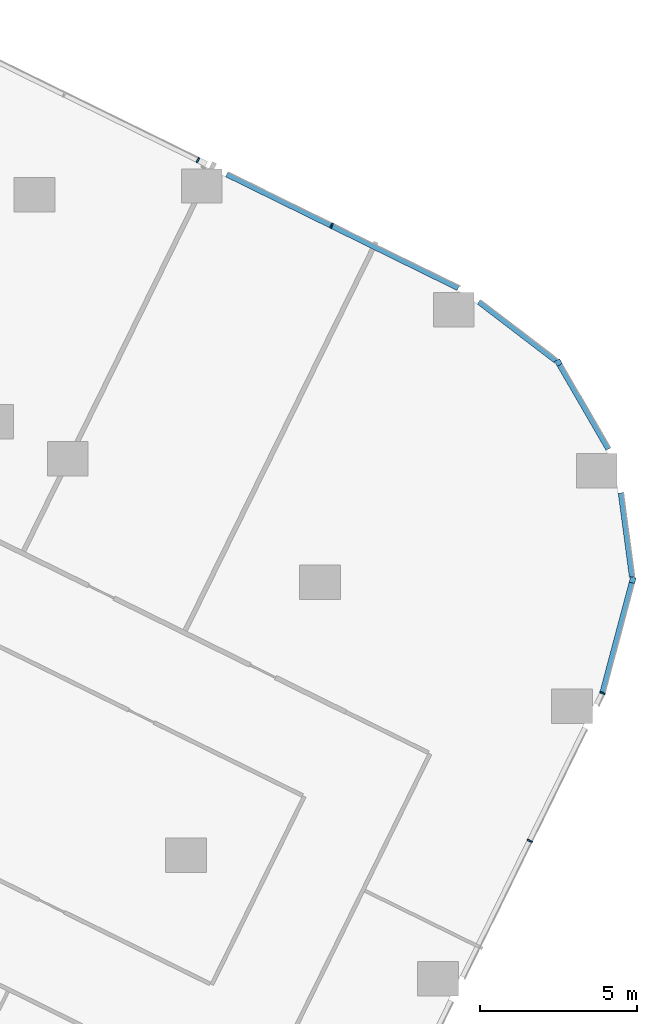
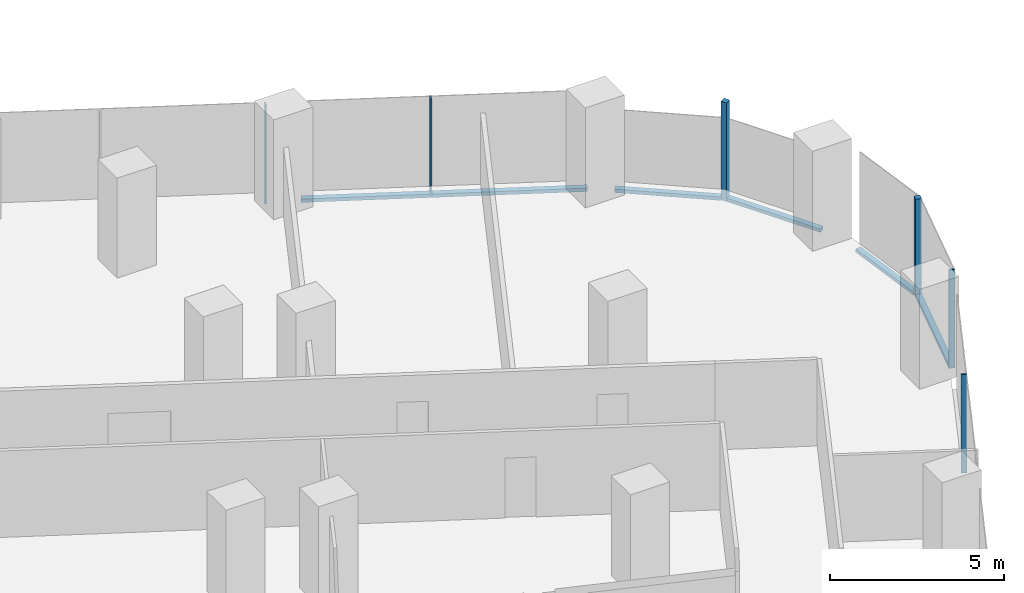
# One storey, part 12 of 38: 11 members, 6 elements without a shape of their own.
"""IFC4 building model written with IfcOpenShell, lengths in metres."""

from ifc_helpers import new_model, si_unit, direction, frame, origin, origin_2d, place, context, subcontext, project, spatial, rectangle, extrude, material, material_profile, profile_set, type_object, element, aggregate, save


model = new_model("IFC4")

# Units and contexts
model_context = context("Model", 3, precision=1e-05, world=origin(), true_north=direction((0.0, 1.0)))
body_context = subcontext(model_context, "Body", "Model", "MODEL_VIEW")
ifc_project = project(units=[si_unit("LENGTHUNIT", "METRE"), si_unit("AREAUNIT", "SQUARE_METRE"), si_unit("VOLUMEUNIT", "CUBIC_METRE"), si_unit("PLANEANGLEUNIT", "RADIAN"), si_unit("MASSUNIT", "GRAM", prefix="KILO")], contexts=[model_context])

# Site, building, storey
site_placement = place(None, origin())
site = spatial("IfcSite", under=ifc_project, at=site_placement, CompositionType="ELEMENT")
building_placement = place(site_placement, origin())
building = spatial("IfcBuilding", under=site, at=building_placement, Name="Orlundy Tower", CompositionType="ELEMENT")
storey_placement = place(building_placement, frame((0.0, 0.0, 72.800048828125)))
storey = spatial("IfcBuildingStorey", under=building, at=storey_placement, Name="L17", CompositionType="ELEMENT", Elevation=72.800048828125)

# Curtain wall, member
ifc_material_1 = material(Name="Aluminium bronze anodised", Category="aluminium")
curtain_wall_type = type_object("IfcCurtainWallType", Name="CW1 wall", PredefinedType="NOTDEFINED", material=ifc_material_1)
curtain_wall_1_placement = place(storey_placement, origin())
curtain_wall_1 = element("IfcCurtainWall", 1, at=curtain_wall_1_placement, inside=storey, type_object=curtain_wall_type, Name="CW1 run 020", PredefinedType="NOTDEFINED")
ifc_material_2 = material(Name="Aluminium bronze anodised", Category="aluminium")
ifc_material_profile_1 = material_profile(ifc_material_2, rectangle(XDim=0.179931640625, YDim=0.179931640625, at=origin_2d()), Name="CW1 corner post 180x180")
ifc_profile_set_1 = profile_set([ifc_material_profile_1], Name="Aluminium bronze anodised")
member_type_1 = type_object("IfcMemberType", Name="CW1 corner post 180x180", PredefinedType="MULLION", material=ifc_profile_set_1)
member_1_placement = place(storey_placement, frame((57.60595703125, -6.7314453125, -0.400146484375), z_axis=(0.0, 0.0, 1.0), x_axis=(0.865340088782, 0.501185126223, 0.0)))
member_1 = element("IfcMember", 2, at=member_1_placement, type_object=member_type_1, Name="CW1 mullion 58", PredefinedType="MULLION", context=body_context, shape_type="SweptSolid", body=[
    extrude(rectangle(XDim=0.179931640625, YDim=0.179931640625, at=origin_2d()), origin(), (0.0, 0.0, 1.0), 3.4501953125),
])

curtain_wall_2_placement = place(storey_placement, origin())
curtain_wall_2 = element("IfcCurtainWall", 3, at=curtain_wall_2_placement, inside=storey, type_object=curtain_wall_type, Name="CW1 run 022", PredefinedType="NOTDEFINED")
member_2_placement = place(storey_placement, frame((59.9755859375, -13.679931640625, -0.400146484375), z_axis=(0.0, 0.0, 1.0), x_axis=(0.966315487466, -0.257360406209, 0.0)))
member_2 = element("IfcMember", 4, at=member_2_placement, type_object=member_type_1, Name="CW1 mullion 60", PredefinedType="MULLION", context=body_context, shape_type="SweptSolid", body=[
    extrude(rectangle(XDim=0.179931640625, YDim=0.179931640625, at=origin_2d()), origin(), (0.0, 0.0, 1.0), 3.4501953125),
])

# Curtain wall, members
curtain_wall_3_placement = place(storey_placement, origin())
curtain_wall_3 = element("IfcCurtainWall", 5, at=curtain_wall_3_placement, inside=storey, type_object=curtain_wall_type, Name="CW1 run 018", PredefinedType="NOTDEFINED")
ifc_material_3 = material(Name="Aluminium bronze anodised", Category="aluminium")
ifc_material_profile_2 = material_profile(ifc_material_3, rectangle(XDim=0.179931640625, YDim=0.050048828125, at=origin_2d()), Name="CW1 mullion 50x180")
ifc_profile_set_2 = profile_set([ifc_material_profile_2], Name="Aluminium bronze anodised")
member_type_2 = type_object("IfcMemberType", Name="CW1 mullion 50x180", PredefinedType="MULLION", material=ifc_profile_set_2)
member_3_placement = place(storey_placement, frame((46.0966796875, -0.26513671875, -0.400146484375), z_axis=(0.0, 0.0, 1.0), x_axis=(0.440978180969, 0.897517823728, 0.0)))
member_3 = element("IfcMember", 6, at=member_3_placement, type_object=member_type_2, Name="CW1 mullion 55", PredefinedType="MULLION", context=body_context, shape_type="SweptSolid", body=[
    extrude(rectangle(XDim=0.179931640625, YDim=0.050048828125, at=origin_2d()), origin(), (0.0, 0.0, 1.0), 3.4501953125),
])
member_4_placement = place(storey_placement, frame((50.36474609375, -2.3623046875, -0.400146484375), z_axis=(0.0, 0.0, 1.0), x_axis=(0.440978180969, 0.897517823728, 0.0)))
member_4 = element("IfcMember", 7, at=member_4_placement, type_object=member_type_2, Name="CW1 mullion 56", PredefinedType="MULLION", context=body_context, shape_type="SweptSolid", body=[
    extrude(rectangle(XDim=0.179931640625, YDim=0.050048828125, at=origin_2d()), origin(), (0.0, 0.0, 1.0), 3.4501953125),
])

curtain_wall_4_placement = place(storey_placement, origin())
curtain_wall_4 = element("IfcCurtainWall", 8, at=curtain_wall_4_placement, inside=storey, type_object=curtain_wall_type, Name="CW1 run 023", PredefinedType="NOTDEFINED")
member_5_placement = place(storey_placement, frame((59.0146484375, -17.287841796875, -0.400146484375), z_axis=(0.0, 0.0, 1.0), x_axis=(0.936421410491, -0.350877388803, 0.0)))
member_5 = element("IfcMember", 9, at=member_5_placement, type_object=member_type_2, Name="CW1 mullion 61", PredefinedType="MULLION", context=body_context, shape_type="SweptSolid", body=[
    extrude(rectangle(XDim=0.179931640625, YDim=0.050048828125, at=origin_2d()), origin(), (0.0, 0.0, 1.0), 3.4501953125),
])
member_6_placement = place(storey_placement, frame((56.695556640625, -22.00732421875, -0.400146484375), z_axis=(0.0, 0.0, 1.0), x_axis=(0.897501090883, -0.441012235503, 0.0)))
member_6 = element("IfcMember", 10, at=member_6_placement, type_object=member_type_2, Name="CW1 mullion 62", PredefinedType="MULLION", context=body_context, shape_type="SweptSolid", body=[
    extrude(rectangle(XDim=0.179931640625, YDim=0.050048828125, at=origin_2d()), origin(), (0.0, 0.0, 1.0), 3.4501953125),
])
aggregate(curtain_wall_4, [member_5, member_6])

# Member
ifc_material_4 = material(Name="Aluminium bronze anodised", Category="aluminium")
ifc_material_profile_3 = material_profile(ifc_material_4, rectangle(XDim=0.179931640625, YDim=0.1201171875, at=origin_2d()), Name="CW1 transom 180x120")
ifc_profile_set_3 = profile_set([ifc_material_profile_3], Name="Aluminium bronze anodised")
member_type_3 = type_object("IfcMemberType", Name="CW1 transom 180x120", PredefinedType="USERDEFINED", material=ifc_profile_set_3)
member_7_placement = place(storey_placement, frame((47.02099609375, -0.719482421875, -0.340087890625), z_axis=(0.897519933419, -0.440973887113, 0.0), x_axis=(0.440973887113, 0.897519933419, 0.0)))
member_7 = element("IfcMember", 11, at=member_7_placement, type_object=member_type_3, Name="CW1 transom", ObjectType="TRANSOM", PredefinedType="USERDEFINED", context=body_context, shape_type="SweptSolid", body=[
    extrude(rectangle(XDim=0.179931640625, YDim=0.1201171875, at=origin_2d()), origin(), (0.0, 0.0, 1.0), 8.23095703125),
])

aggregate(curtain_wall_3, [member_3, member_4, member_7])

# Curtain wall, member
curtain_wall_5_placement = place(storey_placement, origin())
curtain_wall_5 = element("IfcCurtainWall", 12, at=curtain_wall_5_placement, inside=storey, type_object=curtain_wall_type, Name="CW1 run 019", PredefinedType="NOTDEFINED")
member_8_placement = place(storey_placement, frame((55.069091796875, -4.790771484375, -0.340087890625), z_axis=(0.79426830784, -0.60756716103, 0.0), x_axis=(0.60756716103, 0.79426830784, 0.0)))
member_8 = element("IfcMember", 13, at=member_8_placement, type_object=member_type_3, Name="CW1 transom", ObjectType="TRANSOM", PredefinedType="USERDEFINED", context=body_context, shape_type="SweptSolid", body=[
    extrude(rectangle(XDim=0.179931640625, YDim=0.1201171875, at=origin_2d()), origin(), (0.0, 0.0, 1.0), 3.096435546875),
])
aggregate(curtain_wall_5, [member_8])

# Member
member_9_placement = place(storey_placement, frame((57.651123046875, -6.809326171875, -0.340087890625), z_axis=(0.501166602946, -0.865350816774, 0.0), x_axis=(0.865350816774, 0.501166602946, 0.0)))
member_9 = element("IfcMember", 14, at=member_9_placement, type_object=member_type_3, Name="CW1 transom", ObjectType="TRANSOM", PredefinedType="USERDEFINED", context=body_context, shape_type="SweptSolid", body=[
    extrude(rectangle(XDim=0.179931640625, YDim=0.1201171875, at=origin_2d()), origin(), (0.0, 0.0, 1.0), 3.10107421875),
])

aggregate(curtain_wall_1, [member_1, member_9])

# Curtain wall, member
curtain_wall_6_placement = place(storey_placement, origin())
curtain_wall_6 = element("IfcCurtainWall", 15, at=curtain_wall_6_placement, inside=storey, type_object=curtain_wall_type, Name="CW1 run 021", PredefinedType="NOTDEFINED")
member_10_placement = place(storey_placement, frame((59.604736328125, -10.89306640625, -0.340087890625), z_axis=(0.131880872089, -0.991265572678, 0.0), x_axis=(0.991265572678, 0.131880872089, 0.0)))
member_10 = element("IfcMember", 16, at=member_10_placement, type_object=member_type_3, Name="CW1 transom", ObjectType="TRANSOM", PredefinedType="USERDEFINED", context=body_context, shape_type="SweptSolid", body=[
    extrude(rectangle(XDim=0.179931640625, YDim=0.1201171875, at=origin_2d()), origin(), (0.0, 0.0, 1.0), 2.7138671875),
])
aggregate(curtain_wall_6, [member_10])

# Member
member_11_placement = place(storey_placement, frame((59.952392578125, -13.766845703125, -0.340087890625), z_axis=(-0.257335078576, -0.966322232661, 0.0), x_axis=(0.966322232661, -0.257335078576, 0.0)))
member_11 = element("IfcMember", 17, at=member_11_placement, type_object=member_type_3, Name="CW1 transom", ObjectType="TRANSOM", PredefinedType="USERDEFINED", context=body_context, shape_type="SweptSolid", body=[
    extrude(rectangle(XDim=0.179931640625, YDim=0.1201171875, at=origin_2d()), origin(), (0.0, 0.0, 1.0), 3.618408203125),
])

aggregate(curtain_wall_2, [member_2, member_11])

save(model, "model.ifc")
